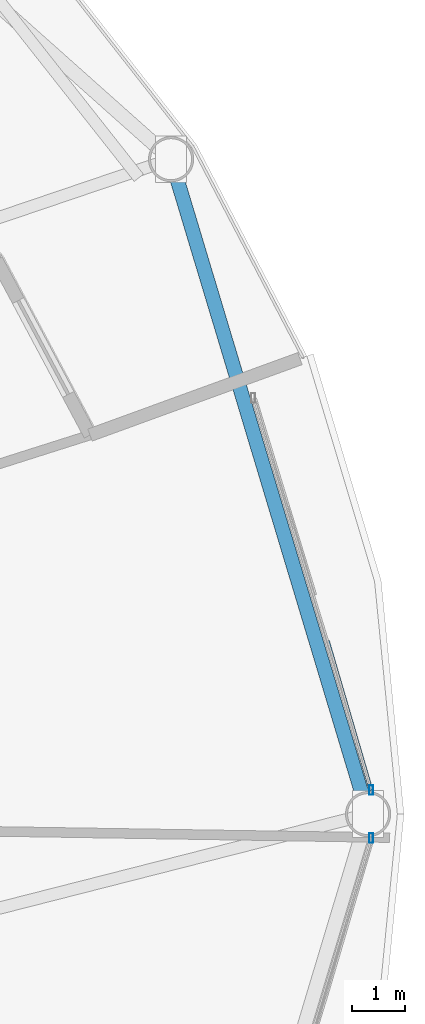
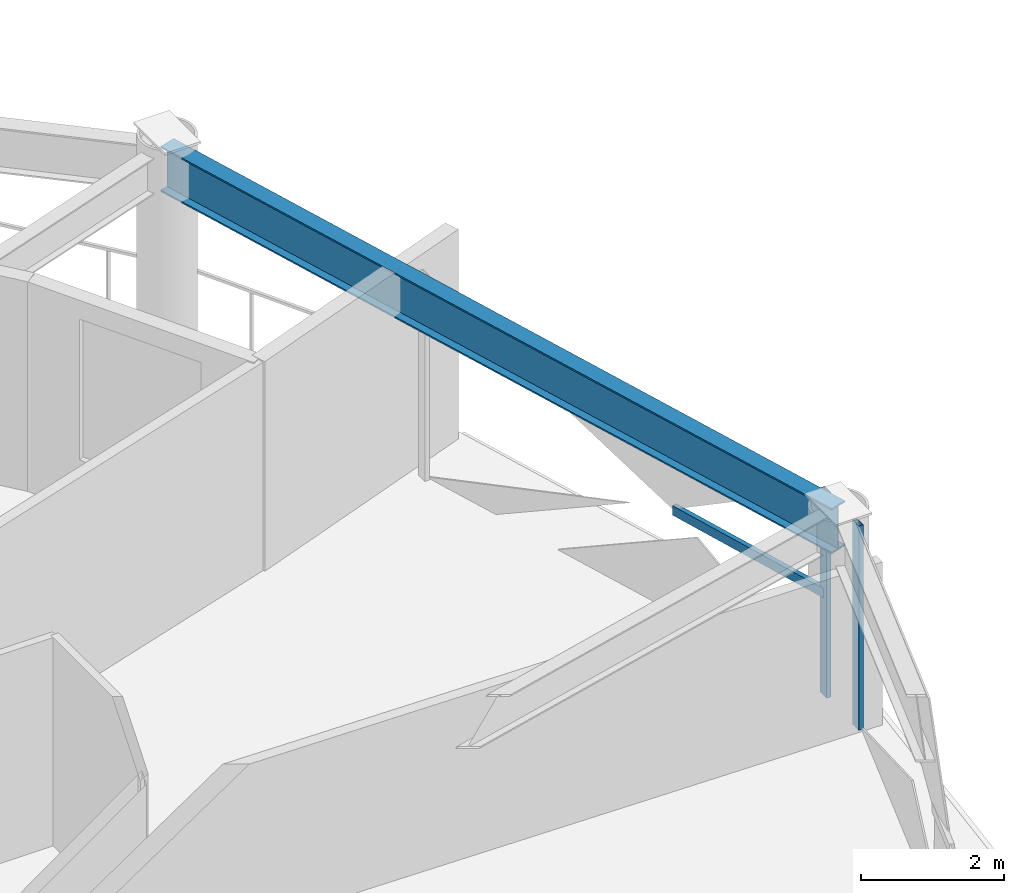
# One storey, part 12 of 33: 3 members, 1 beam, 2 elements without a shape of their own.
"""IFC4 building model written with IfcOpenShell, lengths in metres."""

from ifc_helpers import new_model, si_unit, direction, frame, origin, origin_2d, place, context, subcontext, project, spatial, hollow_rectangle, i_section, extrude, material, layer, layer_set, material_profile, profile_set, type_object, element, aggregate, save


model = new_model("IFC4")

# Units and contexts
model_context = context("Model", 3, precision=1e-05, world=origin(), true_north=direction((0.0, 1.0)))
body_context = subcontext(model_context, "Body", "Model", "MODEL_VIEW")
ifc_project = project(units=[si_unit("LENGTHUNIT", "METRE"), si_unit("AREAUNIT", "SQUARE_METRE"), si_unit("VOLUMEUNIT", "CUBIC_METRE"), si_unit("PLANEANGLEUNIT", "RADIAN"), si_unit("MASSUNIT", "GRAM", prefix="KILO")], contexts=[model_context])

# Site, building, storey
site_placement = place(None, origin())
site = spatial("IfcSite", under=ifc_project, at=site_placement, CompositionType="ELEMENT")
building_placement = place(site_placement, origin())
building = spatial("IfcBuilding", under=site, at=building_placement, Name="Vantalir Tower", CompositionType="ELEMENT")
storey_placement = place(building_placement, frame((0.0, 0.0, 68.25)))
storey = spatial("IfcBuildingStorey", under=building, at=storey_placement, Name="L16", CompositionType="ELEMENT", Elevation=68.25)

# Beam
ifc_material_1 = material(Name="Steel S460", Category="steel")
ifc_material_profile_1 = material_profile(ifc_material_1, i_section(OverallWidth=0.26806640625, OverallDepth=0.77001953125, WebThickness=0.015625, FlangeThickness=0.025390625, at=origin_2d()), Name="Steel S460")
ifc_profile_set_1 = profile_set([ifc_material_profile_1], Name="Steel S460")
beam_type = type_object("IfcBeamType", Name="BM-RG-762x267", PredefinedType="USERDEFINED", material=ifc_profile_set_1)
beam_placement = place(storey_placement, frame((59.14990234375, 25.0, 3.18505859375), z_axis=(-0.288037579995, 0.957619106175, 0.0), x_axis=(-0.957619106175, -0.288037579995, 0.0)))
element("IfcBeam", 1, at=beam_placement, inside=storey, type_object=beam_type, Name="L16 Circumferential Ring Girder 01", ObjectType="GIRDER", PredefinedType="USERDEFINED", context=body_context, shape_type="SweptSolid", body=[
    extrude(i_section(OverallWidth=0.26806640625, OverallDepth=0.77001953125, WebThickness=0.015625, FlangeThickness=0.025390625, at=origin_2d()), origin(), (0.0, 0.0, 1.0), 12.85888671875),
])

# Curtain wall, member
ifc_material_2 = material(Name="Champagne-silver PVDF aluminium and double-silver Low-E glass", Category="aluminium")
ifc_layer = layer(ifc_material_2, 0.18994140625)
ifc_layer_set = layer_set([ifc_layer], Name="Champagne-silver PVDF aluminium and double-silver Low-E glass")
curtain_wall_type = type_object("IfcCurtainWallType", Name="CW-DIAMOND-Z1", PredefinedType="USERDEFINED", material=ifc_layer_set)
curtain_wall_1_placement = place(storey_placement, origin())
curtain_wall_1 = element("IfcCurtainWall", 2, at=curtain_wall_1_placement, inside=storey, type_object=curtain_wall_type, Name="L16 Quilted Pyramid-Diamond Curtain Wall S01", ObjectType="UNITISED CURTAIN WALL", PredefinedType="USERDEFINED")
ifc_material_3 = material(Name="Champagne-silver PVDF aluminium 6063-T6", Category="aluminium")
ifc_material_profile_2 = material_profile(ifc_material_3, hollow_rectangle(XDim=0.074951171875, YDim=0.179931640625, WallThickness=0.00390625, at=origin_2d()), Name="Champagne-silver PVDF aluminium 6063-T6")
ifc_profile_set_2 = profile_set([ifc_material_profile_2], Name="Champagne-silver PVDF aluminium 6063-T6")
member_type_1 = type_object("IfcMemberType", Name="CWM-180x75", PredefinedType="MULLION", material=ifc_profile_set_2)
member_1_placement = place(storey_placement, frame((59.205078125, 25.449951171875, 0.044921875), z_axis=(0.0, 0.0, 1.0), x_axis=(1.0, 0.0, 0.0)))
member_1 = element("IfcMember", 3, at=member_1_placement, type_object=member_type_1, Name="CW-L16-S01 Mullion 1", PredefinedType="MULLION", context=body_context, shape_type="SweptSolid", body=[
    extrude(hollow_rectangle(XDim=0.074951171875, YDim=0.179931640625, WallThickness=0.00390625, at=origin_2d()), origin(), (0.0, 0.0, 1.0), 3.47998046875),
])

curtain_wall_2_placement = place(storey_placement, origin())
curtain_wall_2 = element("IfcCurtainWall", 4, at=curtain_wall_2_placement, inside=storey, type_object=curtain_wall_type, Name="L16 Quilted Pyramid-Diamond Curtain Wall S12", ObjectType="UNITISED CURTAIN WALL", PredefinedType="USERDEFINED")
member_2_placement = place(storey_placement, frame((59.205078125, 24.550048828125, 0.044921875), z_axis=(0.0, 0.0, 1.0), x_axis=(1.0, 0.0, 0.0)))
member_2 = element("IfcMember", 5, at=member_2_placement, type_object=member_type_1, Name="CW-L16-S12 Mullion 2", PredefinedType="MULLION", context=body_context, shape_type="SweptSolid", body=[
    extrude(hollow_rectangle(XDim=0.074951171875, YDim=0.179931640625, WallThickness=0.00390625, at=origin_2d()), origin(), (0.0, 0.0, 1.0), 3.47998046875),
])
aggregate(curtain_wall_2, [member_2])

# Member
ifc_material_profile_3 = material_profile(ifc_material_3, hollow_rectangle(XDim=0.074951171875, YDim=0.159912109375, WallThickness=0.00390625, at=origin_2d()), Name="Champagne-silver PVDF aluminium 6063-T6")
ifc_profile_set_3 = profile_set([ifc_material_profile_3], Name="Champagne-silver PVDF aluminium 6063-T6")
member_type_2 = type_object("IfcMemberType", Name="CWT-160x75", PredefinedType="USERDEFINED", material=ifc_profile_set_3)
member_3_placement = place(storey_placement, frame((59.205078125, 25.449951171875, 1.784912109375), z_axis=(-0.280311193375, 0.959909180532, 0.0), x_axis=(-0.959909180532, -0.280311193375, 0.0)))
member_3 = element("IfcMember", 6, at=member_3_placement, type_object=member_type_2, Name="CW-L16-S01 Pyramid Fold Ridge Transom", ObjectType="TRANSOM", PredefinedType="USERDEFINED", context=body_context, shape_type="SweptSolid", body=[
    extrude(hollow_rectangle(XDim=0.074951171875, YDim=0.159912109375, WallThickness=0.00390625, at=origin_2d()), origin(), (0.0, 0.0, 1.0), 2.922119140625),
])

aggregate(curtain_wall_1, [member_1, member_3])

save(model, "model.ifc")
